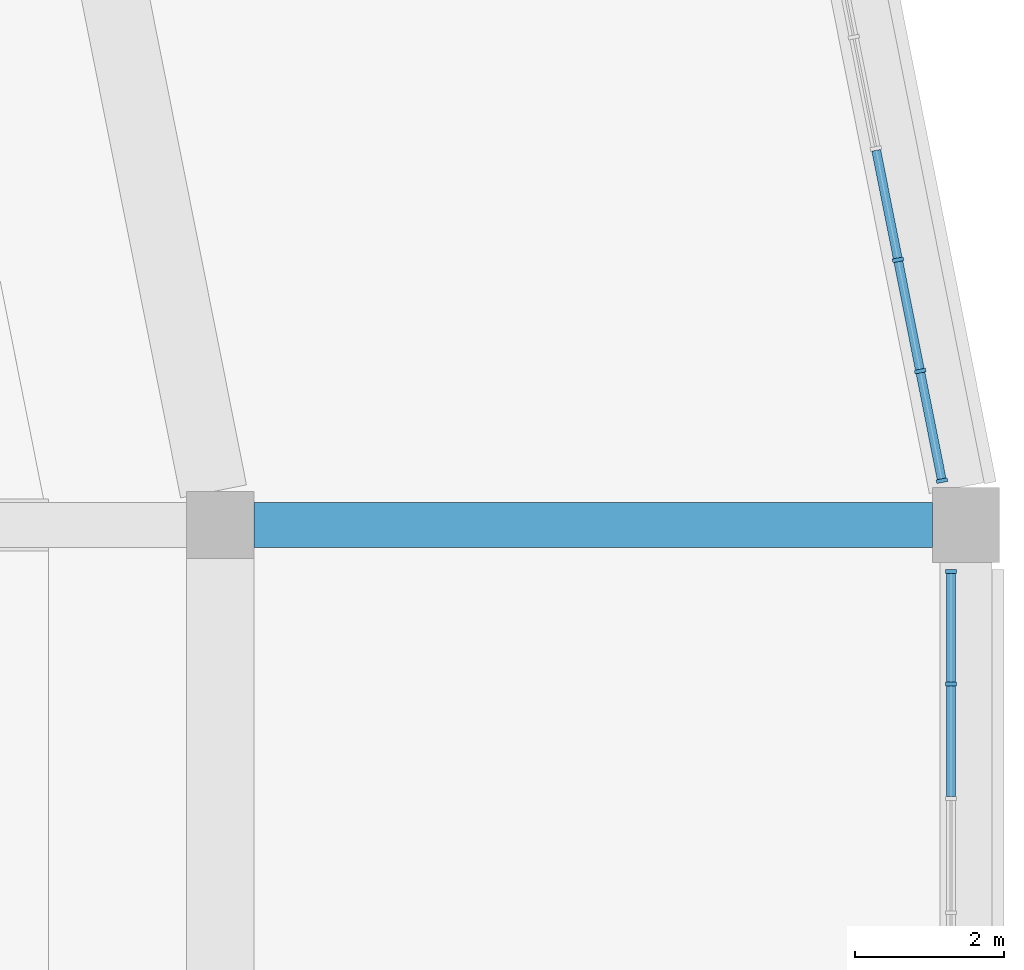
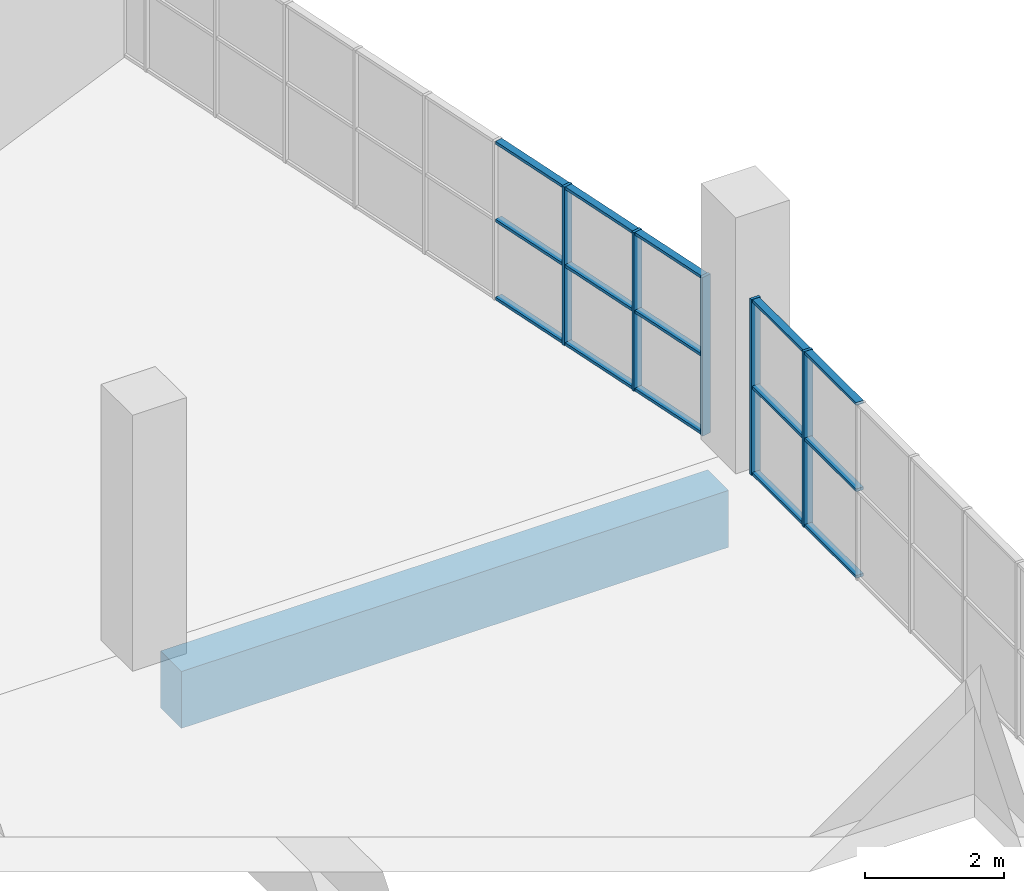
# One storey, part 56 of 249: 20 members, 1 beam, 2 elements without a shape of their own.
"""IFC4 building model written with IfcOpenShell, lengths in metres."""

from ifc_helpers import new_model, si_unit, direction, frame, origin, origin_2d, place, context, subcontext, project, spatial, rectangle, extrude, material, material_profile, profile_set, type_object, element, aggregate, save


model = new_model("IFC4")

# Units and contexts
model_context = context("Model", 3, precision=1e-05, world=origin(), true_north=direction((0.0, 1.0)))
body_context = subcontext(model_context, "Body", "Model", "MODEL_VIEW")
ifc_project = project(units=[si_unit("LENGTHUNIT", "METRE"), si_unit("AREAUNIT", "SQUARE_METRE"), si_unit("VOLUMEUNIT", "CUBIC_METRE"), si_unit("PLANEANGLEUNIT", "RADIAN"), si_unit("MASSUNIT", "GRAM", prefix="KILO")], contexts=[model_context])

# Site, building, storey
site_placement = place(None, origin())
site = spatial("IfcSite", under=ifc_project, at=site_placement, CompositionType="ELEMENT")
building_placement = place(site_placement, origin())
building = spatial("IfcBuilding", under=site, at=building_placement, Name="Ogive Plaza Stadium", CompositionType="ELEMENT")
storey_placement = place(building_placement, frame((0.0, 0.0, 13.5)))
storey = spatial("IfcBuildingStorey", under=building, at=storey_placement, Name="L03", CompositionType="ELEMENT", Elevation=13.5)

# Curtain wall, members
ifc_material_1 = material(Name="Bronze-anodised aluminium with laminated glass", Category="aluminium")
curtain_wall_type = type_object("IfcCurtainWallType", Name="Lancet curtain wall", PredefinedType="NOTDEFINED", material=ifc_material_1)
curtain_wall_1_placement = place(storey_placement, origin())
curtain_wall_1 = element("IfcCurtainWall", 1, at=curtain_wall_1_placement, inside=storey, type_object=curtain_wall_type, Name="CURTAIN WALL B01 L03", PredefinedType="NOTDEFINED")
ifc_material_2 = material(Name="Bronze-anodised aluminium", Category="aluminium")
ifc_material_profile_1 = material_profile(ifc_material_2, rectangle(XDim=0.14990234375, YDim=0.050048828125, at=origin_2d()), Name="AL 150x50")
ifc_profile_set_1 = profile_set([ifc_material_profile_1], Name="Bronze-anodised aluminium")
member_type_1 = type_object("IfcMemberType", Name="Curtain wall mullion 50x150", PredefinedType="MULLION", material=ifc_profile_set_1)
member_1_placement = place(storey_placement, frame((83.800048828125, 51.875, 0.0), z_axis=(0.0, 0.0, 1.0), x_axis=(1.0, 0.0, 0.0)))
member_1 = element("IfcMember", 2, at=member_1_placement, type_object=member_type_1, Name="CW-B01-L03 mullion 1", PredefinedType="MULLION", context=body_context, shape_type="SweptSolid", body=[
    extrude(rectangle(XDim=0.14990234375, YDim=0.050048828125, at=origin_2d()), origin(), (0.0, 0.0, 1.0), 3.090087890625),
])
member_2_placement = place(storey_placement, frame((83.800048828125, 50.36669921875, 0.0), z_axis=(0.0, 0.0, 1.0), x_axis=(1.0, 0.0, 0.0)))
member_2 = element("IfcMember", 3, at=member_2_placement, type_object=member_type_1, Name="CW-B01-L03 mullion 2", PredefinedType="MULLION", context=body_context, shape_type="SweptSolid", body=[
    extrude(rectangle(XDim=0.14990234375, YDim=0.050048828125, at=origin_2d()), origin(), (0.0, 0.0, 1.0), 3.090087890625),
])

curtain_wall_2_placement = place(storey_placement, origin())
curtain_wall_2 = element("IfcCurtainWall", 4, at=curtain_wall_2_placement, inside=storey, type_object=curtain_wall_type, Name="CURTAIN WALL B40 L03", PredefinedType="NOTDEFINED")
member_3_placement = place(storey_placement, frame((83.0888671875, 56.0556640625, 0.0), z_axis=(0.0, 0.0, 1.0), x_axis=(0.9807852804, 0.195090322033, 0.0)))
member_3 = element("IfcMember", 5, at=member_3_placement, type_object=member_type_1, Name="CW-B40-L03 mullion 11", PredefinedType="MULLION", context=body_context, shape_type="SweptSolid", body=[
    extrude(rectangle(XDim=0.14990234375, YDim=0.050048828125, at=origin_2d()), origin(), (0.0, 0.0, 1.0), 2.7900390625),
])
member_4_placement = place(storey_placement, frame((83.3857421875, 54.5625, 0.0), z_axis=(0.0, 0.0, 1.0), x_axis=(0.9807852804, 0.195090322033, 0.0)))
member_4 = element("IfcMember", 6, at=member_4_placement, type_object=member_type_1, Name="CW-B40-L03 mullion 12", PredefinedType="MULLION", context=body_context, shape_type="SweptSolid", body=[
    extrude(rectangle(XDim=0.14990234375, YDim=0.050048828125, at=origin_2d()), origin(), (0.0, 0.0, 1.0), 2.7900390625),
])
member_5_placement = place(storey_placement, frame((83.677978515625, 53.093994140625, 0.0), z_axis=(0.0, 0.0, 1.0), x_axis=(0.9807852804, 0.195090322033, 0.0)))
member_5 = element("IfcMember", 7, at=member_5_placement, type_object=member_type_1, Name="CW-B40-L03 mullion 13", PredefinedType="MULLION", context=body_context, shape_type="SweptSolid", body=[
    extrude(rectangle(XDim=0.14990234375, YDim=0.050048828125, at=origin_2d()), origin(), (0.0, 0.0, 1.0), 2.7900390625),
])

# Member
ifc_material_3 = material(Name="Bronze-anodised aluminium", Category="aluminium")
ifc_material_profile_2 = material_profile(ifc_material_3, rectangle(XDim=0.1201171875, YDim=0.050048828125, at=origin_2d()), Name="AL 120x50")
ifc_profile_set_2 = profile_set([ifc_material_profile_2], Name="Bronze-anodised aluminium")
member_type_2 = type_object("IfcMemberType", Name="Curtain wall transom 50x120", PredefinedType="USERDEFINED", material=ifc_profile_set_2)
member_6_placement = place(storey_placement, frame((83.800048828125, 51.85009765625, 0.02490234375), z_axis=(0.0, -1.0, 0.0), x_axis=(1.0, 0.0, 0.0)))
member_6 = element("IfcMember", 8, at=member_6_placement, type_object=member_type_2, Name="CW-B01-L03 transom 1.1", ObjectType="TRANSOM", PredefinedType="USERDEFINED", context=body_context, shape_type="SweptSolid", body=[
    extrude(rectangle(XDim=0.1201171875, YDim=0.050048828125, at=origin_2d()), origin(), (0.0, 0.0, 1.0), 1.45849609375),
])

member_7_placement = place(storey_placement, frame((83.800048828125, 51.85009765625, 1.544921875), z_axis=(0.0, -1.0, 0.0), x_axis=(1.0, 0.0, 0.0)))
member_7 = element("IfcMember", 9, at=member_7_placement, type_object=member_type_2, Name="CW-B01-L03 transom 1.2", ObjectType="TRANSOM", PredefinedType="USERDEFINED", context=body_context, shape_type="SweptSolid", body=[
    extrude(rectangle(XDim=0.1201171875, YDim=0.050048828125, at=origin_2d()), origin(), (0.0, 0.0, 1.0), 1.45849609375),
])

member_8_placement = place(storey_placement, frame((83.800048828125, 51.85009765625, 3.06494140625), z_axis=(0.0, -1.0, 0.0), x_axis=(1.0, 0.0, 0.0)))
member_8 = element("IfcMember", 10, at=member_8_placement, type_object=member_type_2, Name="CW-B01-L03 transom 1.3", ObjectType="TRANSOM", PredefinedType="USERDEFINED", context=body_context, shape_type="SweptSolid", body=[
    extrude(rectangle(XDim=0.1201171875, YDim=0.050048828125, at=origin_2d()), origin(), (0.0, 0.0, 1.0), 1.45849609375),
])

member_9_placement = place(storey_placement, frame((83.800048828125, 50.341552734375, 0.02490234375), z_axis=(0.0, -1.0, 0.0), x_axis=(1.0, 0.0, 0.0)))
member_9 = element("IfcMember", 11, at=member_9_placement, type_object=member_type_2, Name="CW-B01-L03 transom 2.1", ObjectType="TRANSOM", PredefinedType="USERDEFINED", context=body_context, shape_type="SweptSolid", body=[
    extrude(rectangle(XDim=0.1201171875, YDim=0.050048828125, at=origin_2d()), origin(), (0.0, 0.0, 1.0), 1.483154296875),
])

member_10_placement = place(storey_placement, frame((83.800048828125, 50.341552734375, 1.544921875), z_axis=(0.0, -1.0, 0.0), x_axis=(1.0, 0.0, 0.0)))
member_10 = element("IfcMember", 12, at=member_10_placement, type_object=member_type_2, Name="CW-B01-L03 transom 2.2", ObjectType="TRANSOM", PredefinedType="USERDEFINED", context=body_context, shape_type="SweptSolid", body=[
    extrude(rectangle(XDim=0.1201171875, YDim=0.050048828125, at=origin_2d()), origin(), (0.0, 0.0, 1.0), 1.483154296875),
])

member_11_placement = place(storey_placement, frame((83.800048828125, 50.341552734375, 3.06494140625), z_axis=(0.0, -1.0, 0.0), x_axis=(1.0, 0.0, 0.0)))
member_11 = element("IfcMember", 13, at=member_11_placement, type_object=member_type_2, Name="CW-B01-L03 transom 2.3", ObjectType="TRANSOM", PredefinedType="USERDEFINED", context=body_context, shape_type="SweptSolid", body=[
    extrude(rectangle(XDim=0.1201171875, YDim=0.050048828125, at=origin_2d()), origin(), (0.0, 0.0, 1.0), 1.483154296875),
])

aggregate(curtain_wall_1, [member_1, member_2, member_6, member_7, member_8, member_9, member_10, member_11])

member_12_placement = place(storey_placement, frame((82.796630859375, 57.524169921875, 0.02490234375), z_axis=(0.195191182816, -0.980765212551, 0.0), x_axis=(0.980765212551, 0.195191182816, 0.0)))
member_12 = element("IfcMember", 14, at=member_12_placement, type_object=member_type_2, Name="CW-B40-L03 transom 10.1", ObjectType="TRANSOM", PredefinedType="USERDEFINED", context=body_context, shape_type="SweptSolid", body=[
    extrude(rectangle(XDim=0.1201171875, YDim=0.050048828125, at=origin_2d()), origin(), (0.0, 0.0, 1.0), 1.47216796875),
])

member_13_placement = place(storey_placement, frame((82.796630859375, 57.524169921875, 1.39501953125), z_axis=(0.195191182816, -0.980765212551, 0.0), x_axis=(0.980765212551, 0.195191182816, 0.0)))
member_13 = element("IfcMember", 15, at=member_13_placement, type_object=member_type_2, Name="CW-B40-L03 transom 10.2", ObjectType="TRANSOM", PredefinedType="USERDEFINED", context=body_context, shape_type="SweptSolid", body=[
    extrude(rectangle(XDim=0.1201171875, YDim=0.050048828125, at=origin_2d()), origin(), (0.0, 0.0, 1.0), 1.47216796875),
])

member_14_placement = place(storey_placement, frame((82.796630859375, 57.524169921875, 2.764892578125), z_axis=(0.195191182816, -0.980765212551, 0.0), x_axis=(0.980765212551, 0.195191182816, 0.0)))
member_14 = element("IfcMember", 16, at=member_14_placement, type_object=member_type_2, Name="CW-B40-L03 transom 10.3", ObjectType="TRANSOM", PredefinedType="USERDEFINED", context=body_context, shape_type="SweptSolid", body=[
    extrude(rectangle(XDim=0.1201171875, YDim=0.050048828125, at=origin_2d()), origin(), (0.0, 0.0, 1.0), 1.47216796875),
])

member_15_placement = place(storey_placement, frame((83.09375, 56.03125, 0.02490234375), z_axis=(0.194999937042, -0.980803254763, 0.0), x_axis=(0.980803254763, 0.194999937042, 0.0)))
member_15 = element("IfcMember", 17, at=member_15_placement, type_object=member_type_2, Name="CW-B40-L03 transom 11.1", ObjectType="TRANSOM", PredefinedType="USERDEFINED", context=body_context, shape_type="SweptSolid", body=[
    extrude(rectangle(XDim=0.1201171875, YDim=0.050048828125, at=origin_2d()), origin(), (0.0, 0.0, 1.0), 1.472412109375),
])

member_16_placement = place(storey_placement, frame((83.09375, 56.03125, 1.39501953125), z_axis=(0.194999937042, -0.980803254763, 0.0), x_axis=(0.980803254763, 0.194999937042, 0.0)))
member_16 = element("IfcMember", 18, at=member_16_placement, type_object=member_type_2, Name="CW-B40-L03 transom 11.2", ObjectType="TRANSOM", PredefinedType="USERDEFINED", context=body_context, shape_type="SweptSolid", body=[
    extrude(rectangle(XDim=0.1201171875, YDim=0.050048828125, at=origin_2d()), origin(), (0.0, 0.0, 1.0), 1.472412109375),
])

member_17_placement = place(storey_placement, frame((83.09375, 56.03125, 2.764892578125), z_axis=(0.194999937042, -0.980803254763, 0.0), x_axis=(0.980803254763, 0.194999937042, 0.0)))
member_17 = element("IfcMember", 19, at=member_17_placement, type_object=member_type_2, Name="CW-B40-L03 transom 11.3", ObjectType="TRANSOM", PredefinedType="USERDEFINED", context=body_context, shape_type="SweptSolid", body=[
    extrude(rectangle(XDim=0.1201171875, YDim=0.050048828125, at=origin_2d()), origin(), (0.0, 0.0, 1.0), 1.472412109375),
])

member_18_placement = place(storey_placement, frame((83.390625, 54.5380859375, 0.02490234375), z_axis=(0.195175269199, -0.980768379534, 0.0), x_axis=(0.980768379534, 0.195175269199, 0.0)))
member_18 = element("IfcMember", 20, at=member_18_placement, type_object=member_type_2, Name="CW-B40-L03 transom 12.1", ObjectType="TRANSOM", PredefinedType="USERDEFINED", context=body_context, shape_type="SweptSolid", body=[
    extrude(rectangle(XDim=0.1201171875, YDim=0.050048828125, at=origin_2d()), origin(), (0.0, 0.0, 1.0), 1.447265625),
])

member_19_placement = place(storey_placement, frame((83.390625, 54.5380859375, 1.39501953125), z_axis=(0.195175269199, -0.980768379534, 0.0), x_axis=(0.980768379534, 0.195175269199, 0.0)))
member_19 = element("IfcMember", 21, at=member_19_placement, type_object=member_type_2, Name="CW-B40-L03 transom 12.2", ObjectType="TRANSOM", PredefinedType="USERDEFINED", context=body_context, shape_type="SweptSolid", body=[
    extrude(rectangle(XDim=0.1201171875, YDim=0.050048828125, at=origin_2d()), origin(), (0.0, 0.0, 1.0), 1.447265625),
])

member_20_placement = place(storey_placement, frame((83.390625, 54.5380859375, 2.764892578125), z_axis=(0.195175269199, -0.980768379534, 0.0), x_axis=(0.980768379534, 0.195175269199, 0.0)))
member_20 = element("IfcMember", 22, at=member_20_placement, type_object=member_type_2, Name="CW-B40-L03 transom 12.3", ObjectType="TRANSOM", PredefinedType="USERDEFINED", context=body_context, shape_type="SweptSolid", body=[
    extrude(rectangle(XDim=0.1201171875, YDim=0.050048828125, at=origin_2d()), origin(), (0.0, 0.0, 1.0), 1.447265625),
])

aggregate(curtain_wall_2, [member_3, member_4, member_5, member_12, member_13, member_14, member_15, member_16, member_17, member_18, member_19, member_20])

# Beam
ifc_material_4 = material(Name="Concrete C40/50", Category="concrete")
ifc_material_profile_3 = material_profile(ifc_material_4, rectangle(XDim=0.60009765625, YDim=1.0, at=origin_2d()), Name="RC 600x1000")
ifc_profile_set_3 = profile_set([ifc_material_profile_3], Name="Concrete C40/50")
beam_type = type_object("IfcBeamType", Name="RC radial beam 600x1000", PredefinedType="BEAM", material=ifc_profile_set_3)
beam_placement = place(storey_placement, frame((74.449951171875, 52.5, -0.909912109375), z_axis=(1.0, 0.0, 0.0), x_axis=(0.0, 1.0, 0.0)))
element("IfcBeam", 23, at=beam_placement, inside=storey, type_object=beam_type, Name="Radial beam L03 R01 F4F5", PredefinedType="BEAM", context=body_context, shape_type="SweptSolid", body=[
    extrude(rectangle(XDim=0.60009765625, YDim=1.0, at=origin_2d()), origin(), (0.0, 0.0, 1.0), 9.10009765625),
])

save(model, "model.ifc")
